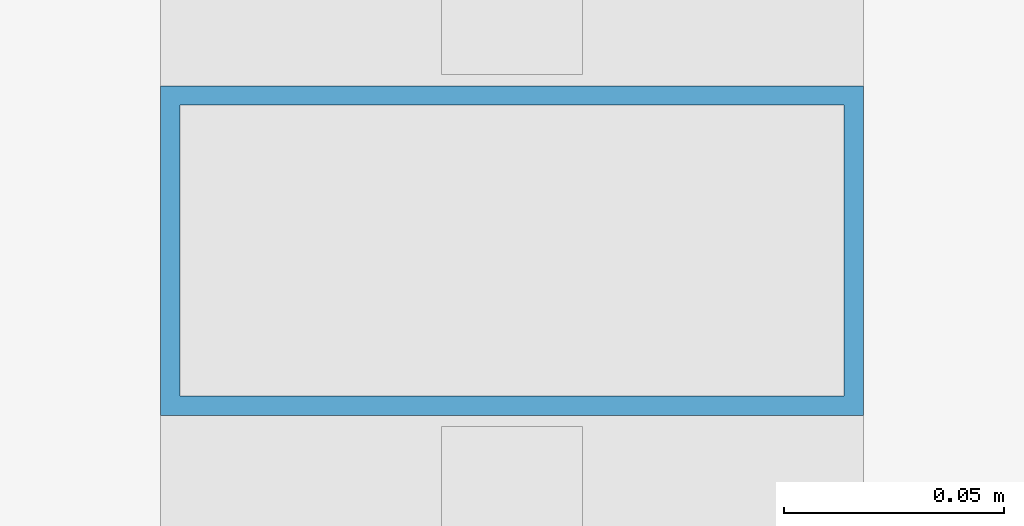
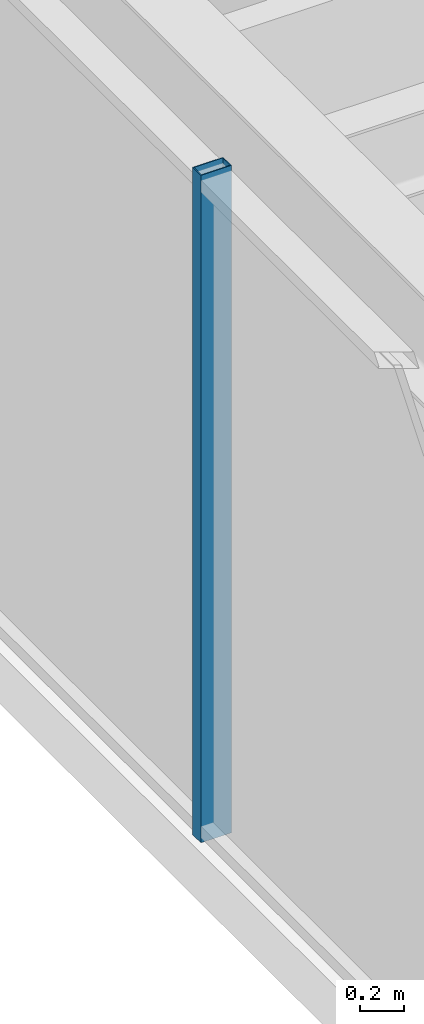
# One storey, part 11 of 39: 1 member, 1 element without a shape of its own.
"""IFC4 building model written with IfcOpenShell, lengths in metres."""

from ifc_helpers import new_model, si_unit, direction, frame, origin, origin_2d, place, context, subcontext, project, spatial, hollow_rectangle, extrude, material, material_profile, profile_set, type_object, element, aggregate, save


model = new_model("IFC4")

# Units and contexts
model_context = context("Model", 3, precision=1e-05, world=origin(), true_north=direction((0.0, 1.0)))
body_context = subcontext(model_context, "Body", "Model", "MODEL_VIEW")
ifc_project = project(units=[si_unit("LENGTHUNIT", "METRE"), si_unit("AREAUNIT", "SQUARE_METRE"), si_unit("VOLUMEUNIT", "CUBIC_METRE"), si_unit("PLANEANGLEUNIT", "RADIAN"), si_unit("MASSUNIT", "GRAM", prefix="KILO")], contexts=[model_context])

# Site, building, storey
site_placement = place(None, origin())
site = spatial("IfcSite", under=ifc_project, at=site_placement, CompositionType="ELEMENT")
building_placement = place(site_placement, origin())
building = spatial("IfcBuilding", under=site, at=building_placement, Name="Kolvaren Belvedere", CompositionType="ELEMENT")
storey_placement = place(building_placement, frame((0.0, 0.0, 15.199951171875)))
storey = spatial("IfcBuildingStorey", under=building, at=storey_placement, Name="L04", CompositionType="ELEMENT", Elevation=15.199951171875)

# Curtain wall, member
ifc_material_1 = material(Name="Anodised pale-metal aluminium AA 6063-T6", Category="aluminium")
curtain_wall_type = type_object("IfcCurtainWallType", Name="CW-POD-A", PredefinedType="NOTDEFINED", material=ifc_material_1)
curtain_wall_placement = place(storey_placement, origin())
curtain_wall = element("IfcCurtainWall", 1, at=curtain_wall_placement, inside=storey, type_object=curtain_wall_type, Name="L04 Unitised Curtain Wall FCW-L04-W", PredefinedType="NOTDEFINED")
ifc_material_2 = material(Name="Anodised pale-metal aluminium AA 6063-T6", Category="aluminium")
ifc_material_profile = material_profile(ifc_material_2, hollow_rectangle(XDim=0.074951171875, YDim=0.159912109375, WallThickness=0.00439453125, at=origin_2d()), Name="ALU-MUL-160X75")
ifc_profile_set = profile_set([ifc_material_profile], Name="Anodised pale-metal aluminium AA 6063-T6")
member_type = type_object("IfcMemberType", Name="CW-MUL-160", PredefinedType="MULLION", material=ifc_profile_set)
member_placement = place(storey_placement, frame((-27.8798828125, 0.0, 0.0), z_axis=(0.0, 0.0, 1.0), x_axis=(0.0, 1.0, 0.0)))
member = element("IfcMember", 2, at=member_placement, type_object=member_type, Name="FCW-L04-W Unitised Mullion 3", PredefinedType="MULLION", context=body_context, shape_type="SweptSolid", body=[
    extrude(hollow_rectangle(XDim=0.074951171875, YDim=0.159912109375, WallThickness=0.00439453125, at=origin_2d()), origin(), (0.0, 0.0, 1.0), 3.699951171875),
])
aggregate(curtain_wall, [member])

save(model, "model.ifc")
